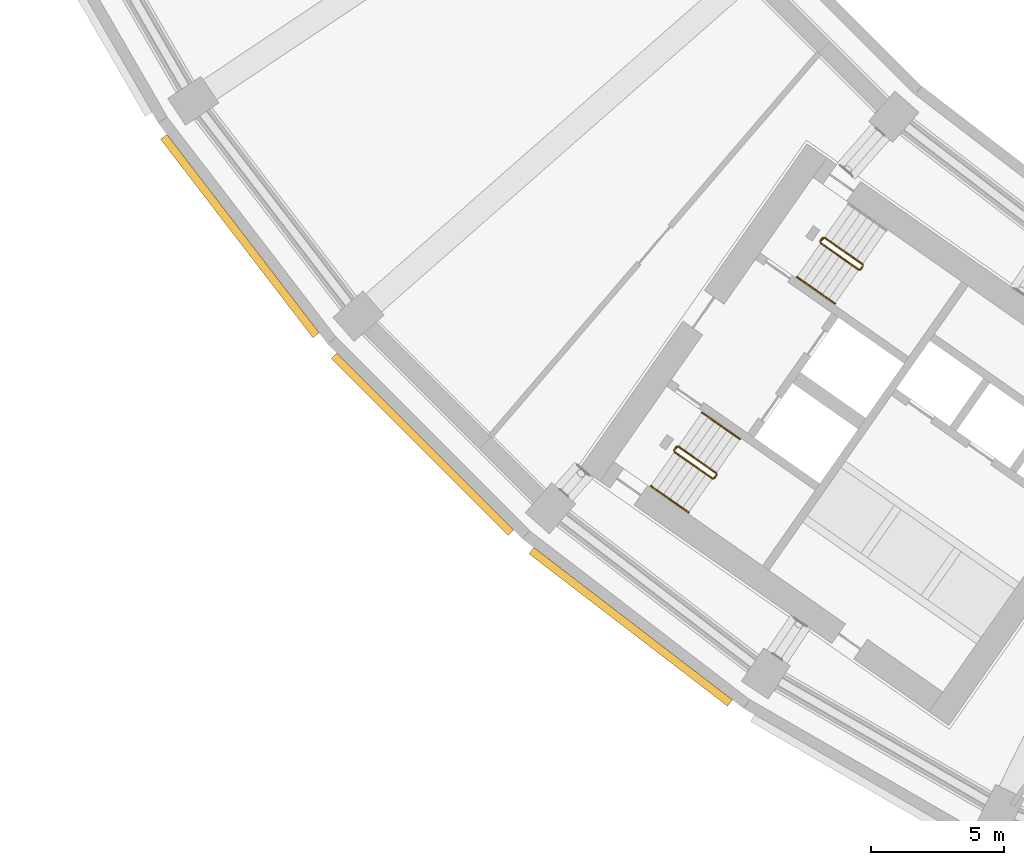
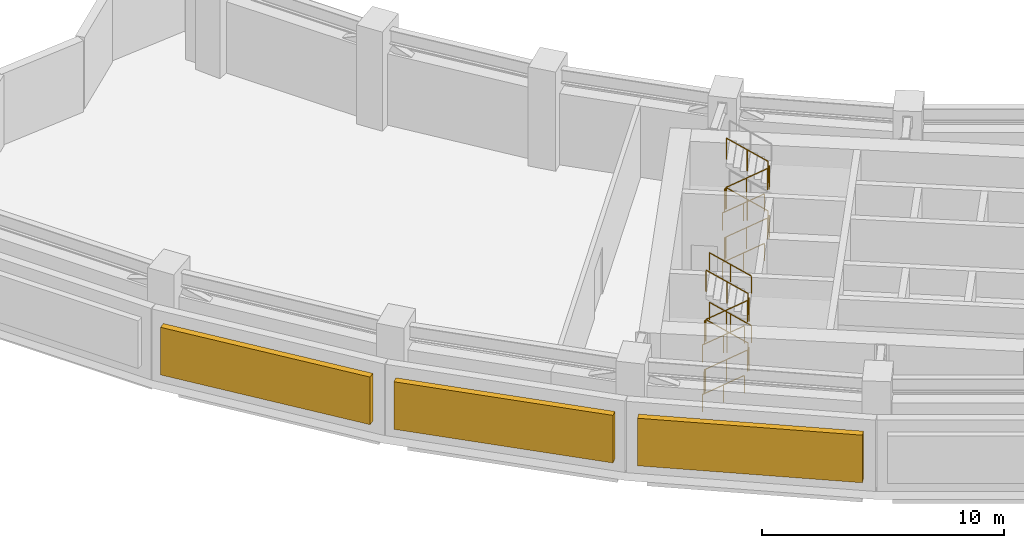
# One storey, part 23 of 25: 16 railings, 3 shading devices.
"""IFC4 building model written with IfcOpenShell, lengths in metres."""

from ifc_helpers import new_model, si_unit, direction, frame, origin, origin_2d, place, context, subcontext, project, spatial, rectangle, circle, extrude, material, type_object, element, save


model = new_model("IFC4")

# Units and contexts
model_context = context("Model", 3, precision=1e-05, world=origin(), true_north=direction((0.0, 1.0)))
body_context = subcontext(model_context, "Body", "Model", "MODEL_VIEW")
ifc_project = project(units=[si_unit("LENGTHUNIT", "METRE"), si_unit("AREAUNIT", "SQUARE_METRE"), si_unit("VOLUMEUNIT", "CUBIC_METRE"), si_unit("PLANEANGLEUNIT", "RADIAN"), si_unit("MASSUNIT", "GRAM", prefix="KILO")], contexts=[model_context])

# Site, building, storey
site_placement = place(None, origin())
site = spatial("IfcSite", under=ifc_project, at=site_placement, CompositionType="ELEMENT")
building_placement = place(site_placement, origin())
building = spatial("IfcBuilding", under=site, at=building_placement, Name="Qamariyya Broadcast Tower", CompositionType="ELEMENT")
storey_placement = place(building_placement, frame((0.0, 0.0, 144.300048828125)))
storey = spatial("IfcBuildingStorey", under=building, at=storey_placement, Name="L33", CompositionType="ELEMENT", Elevation=144.300048828125)

# Railings
ifc_material_1 = material(Name="Painted steel", Category="steel")
railing_type_1 = type_object("IfcRailingType", Name="Stair guard", PredefinedType="GUARDRAIL", material=ifc_material_1)
railing_1_placement = place(storey_placement, frame((-41.146728515625, -48.52490234375, 0.178466796875)))
element("IfcRailing", 1, at=railing_1_placement, inside=storey, type_object=railing_type_1, Name="L33 ST-W2 stair guard 1", PredefinedType="GUARDRAIL", context=body_context, shape_type="SweptSolid", body=[
    extrude(circle(Radius=0.02392578125, at=origin_2d()), frame((0.0, 0.0, 1.076171875), z_axis=(0.69748900342, -0.488409565944, 0.52437122919), x_axis=(0.573594173421, 0.819139624372, 0.0)), (0.0, 0.0, 1.0), 2.04345703125),
    extrude(circle(Radius=0.02392578125, at=origin_2d()), frame((1.42529296875, -0.998046875, 2.1474609375), z_axis=(0.984470095537, 0.175552359694, 0.0), x_axis=(-0.175552359694, 0.984470095537, 0.0)), (0.0, 0.0, 1.0), 0.071044921875),
    extrude(circle(Radius=0.02392578125, at=origin_2d()), frame((1.4951171875, -0.985595703125, 2.1474609375), z_axis=(0.573353020881, 0.819308436089, 0.0), x_axis=(-0.819308436089, 0.573353020881, 0.0)), (0.0, 0.0, 1.0), 0.14990234375),
    extrude(circle(Radius=0.02099609375, at=origin_2d()), origin(), (0.0, 0.0, 1.0), 1.052001953125),
    extrude(circle(Radius=0.02099609375, at=origin_2d()), frame((0.712646484375, -0.4990234375, 0.53564453125)), (0.0, 0.0, 1.0), 1.052001953125),
    extrude(circle(Radius=0.02099609375, at=origin_2d()), frame((1.42529296875, -0.998046875, 1.071533203125)), (0.0, 0.0, 1.0), 1.052001953125),
    extrude(circle(Radius=0.02099609375, at=origin_2d()), frame((1.4951171875, -0.985595703125, 1.071533203125)), (0.0, 0.0, 1.0), 1.052001953125),
    extrude(circle(Radius=0.02099609375, at=origin_2d()), frame((1.5810546875, -0.86279296875, 1.071533203125)), (0.0, 0.0, 1.0), 1.052001953125),
])
railing_2_placement = place(storey_placement, frame((-39.577880859375, -49.318115234375, 1.428466796875)))
element("IfcRailing", 2, at=railing_2_placement, inside=storey, type_object=railing_type_1, Name="L33 ST-W2 stair guard 2", PredefinedType="GUARDRAIL", context=body_context, shape_type="SweptSolid", body=[
    extrude(circle(Radius=0.02392578125, at=origin_2d()), frame((0.0, 0.0, 1.076171875), z_axis=(-0.69748900342, 0.488409565944, 0.52437122919), x_axis=(-0.573594173421, -0.819139624372, 0.0)), (0.0, 0.0, 1.0), 2.04345703125),
    extrude(circle(Radius=0.02392578125, at=origin_2d()), frame((-1.42529296875, 0.998046875, 2.1474609375), z_axis=(-0.755063954535, -0.655651145474, 0.0), x_axis=(0.655651145474, -0.755063954535, 0.0)), (0.0, 0.0, 1.0), 0.206298828125),
    extrude(circle(Radius=0.02392578125, at=origin_2d()), frame((-1.5810546875, 0.86279296875, 2.1474609375), z_axis=(0.572588637393, 0.819842821722, 0.0), x_axis=(-0.819842821722, 0.572588637393, 0.0)), (0.0, 0.0, 1.0), 0.150146484375),
    extrude(circle(Radius=0.02099609375, at=origin_2d()), origin(), (0.0, 0.0, 1.0), 1.052001953125),
    extrude(circle(Radius=0.02099609375, at=origin_2d()), frame((-0.712646484375, 0.4990234375, 0.53564453125)), (0.0, 0.0, 1.0), 1.052001953125),
    extrude(circle(Radius=0.02099609375, at=origin_2d()), frame((-1.42529296875, 0.998046875, 1.071533203125)), (0.0, 0.0, 1.0), 1.052001953125),
    extrude(circle(Radius=0.02099609375, at=origin_2d()), frame((-1.5810546875, 0.86279296875, 1.071533203125)), (0.0, 0.0, 1.0), 1.052001953125),
    extrude(circle(Radius=0.02099609375, at=origin_2d()), frame((-1.4951171875, 0.98583984375, 1.071533203125)), (0.0, 0.0, 1.0), 1.052001953125),
])
railing_3_placement = place(storey_placement, frame((-41.146728515625, -48.52490234375, 2.678466796875)))
element("IfcRailing", 3, at=railing_3_placement, inside=storey, type_object=railing_type_1, Name="L33 ST-W2 stair guard 3", PredefinedType="GUARDRAIL", context=body_context, shape_type="SweptSolid", body=[
    extrude(circle(Radius=0.02392578125, at=origin_2d()), frame((0.0, 0.0, 1.076171875), z_axis=(0.69748900342, -0.488409565944, 0.52437122919), x_axis=(0.573594173421, 0.819139624372, 0.0)), (0.0, 0.0, 1.0), 2.04345703125),
    extrude(circle(Radius=0.02392578125, at=origin_2d()), frame((1.42529296875, -0.998046875, 2.1474609375), z_axis=(0.984470095537, 0.175552359694, 0.0), x_axis=(-0.175552359694, 0.984470095537, 0.0)), (0.0, 0.0, 1.0), 0.071044921875),
    extrude(circle(Radius=0.02392578125, at=origin_2d()), frame((1.4951171875, -0.985595703125, 2.1474609375), z_axis=(0.573353020881, 0.819308436089, 0.0), x_axis=(-0.819308436089, 0.573353020881, 0.0)), (0.0, 0.0, 1.0), 0.14990234375),
    extrude(circle(Radius=0.02099609375, at=origin_2d()), origin(), (0.0, 0.0, 1.0), 1.052001953125),
    extrude(circle(Radius=0.02099609375, at=origin_2d()), frame((0.712646484375, -0.4990234375, 0.53564453125)), (0.0, 0.0, 1.0), 1.052001953125),
    extrude(circle(Radius=0.02099609375, at=origin_2d()), frame((1.42529296875, -0.998046875, 1.071533203125)), (0.0, 0.0, 1.0), 1.052001953125),
    extrude(circle(Radius=0.02099609375, at=origin_2d()), frame((1.4951171875, -0.985595703125, 1.071533203125)), (0.0, 0.0, 1.0), 1.052001953125),
    extrude(circle(Radius=0.02099609375, at=origin_2d()), frame((1.5810546875, -0.86279296875, 1.071533203125)), (0.0, 0.0, 1.0), 1.052001953125),
])
railing_4_placement = place(storey_placement, frame((-39.577880859375, -49.318115234375, 3.928466796875)))
element("IfcRailing", 4, at=railing_4_placement, inside=storey, type_object=railing_type_1, Name="L33 ST-W2 stair guard 4", PredefinedType="GUARDRAIL", context=body_context, shape_type="SweptSolid", body=[
    extrude(circle(Radius=0.02392578125, at=origin_2d()), frame((0.0, 0.0, 1.076171875), z_axis=(-0.69748900342, 0.488409565944, 0.52437122919), x_axis=(-0.573594173421, -0.819139624372, 0.0)), (0.0, 0.0, 1.0), 2.04345703125),
    extrude(circle(Radius=0.02099609375, at=origin_2d()), origin(), (0.0, 0.0, 1.0), 1.052001953125),
    extrude(circle(Radius=0.02099609375, at=origin_2d()), frame((-0.712646484375, 0.4990234375, 0.53564453125)), (0.0, 0.0, 1.0), 1.052001953125),
    extrude(circle(Radius=0.02099609375, at=origin_2d()), frame((-1.42529296875, 0.998046875, 1.071533203125)), (0.0, 0.0, 1.0), 1.052001953125),
])
railing_5_placement = place(storey_placement, frame((-41.158935546875, -48.455322265625, 0.0)))
element("IfcRailing", 5, at=railing_5_placement, inside=storey, type_object=railing_type_1, Name="L33 ST-W2 stair guard 5", PredefinedType="GUARDRAIL", context=body_context, shape_type="SweptSolid", body=[
    extrude(circle(Radius=0.02392578125, at=origin_2d()), frame((0.0, 0.0, 1.076171875), z_axis=(0.572588637393, 0.819842821722, 0.0), x_axis=(-0.819842821722, 0.572588637393, 0.0)), (0.0, 0.0, 1.0), 0.150146484375),
    extrude(circle(Radius=0.02099609375, at=origin_2d()), origin(), (0.0, 0.0, 1.0), 1.052001953125),
    extrude(circle(Radius=0.02099609375, at=origin_2d()), frame((0.0859375, 0.123046875, 0.0)), (0.0, 0.0, 1.0), 1.052001953125),
])
railing_6_placement = place(storey_placement, frame((-46.624267578125, -56.34765625, 0.178466796875)))
element("IfcRailing", 6, at=railing_6_placement, inside=storey, type_object=railing_type_1, Name="L33 ST-W1 stair guard 1", PredefinedType="GUARDRAIL", context=body_context, shape_type="SweptSolid", body=[
    extrude(circle(Radius=0.02392578125, at=origin_2d()), frame((0.0, 0.0, 1.076171875), z_axis=(0.69748900342, -0.488409565944, 0.52437122919), x_axis=(0.573594173421, 0.819139624372, 0.0)), (0.0, 0.0, 1.0), 2.04345703125),
    extrude(circle(Radius=0.02392578125, at=origin_2d()), frame((1.42529296875, -0.998046875, 2.1474609375), z_axis=(0.984957024646, 0.172799478008, 0.0), x_axis=(-0.172799478008, 0.984957024646, 0.0)), (0.0, 0.0, 1.0), 0.070556640625),
    extrude(circle(Radius=0.02392578125, at=origin_2d()), frame((1.494873046875, -0.98583984375, 2.1474609375), z_axis=(0.574444878118, 0.818543268254, 0.0), x_axis=(-0.818543268254, 0.574444878118, 0.0)), (0.0, 0.0, 1.0), 0.150146484375),
    extrude(circle(Radius=0.02099609375, at=origin_2d()), origin(), (0.0, 0.0, 1.0), 1.052001953125),
    extrude(circle(Radius=0.02099609375, at=origin_2d()), frame((0.712646484375, -0.4990234375, 0.53564453125)), (0.0, 0.0, 1.0), 1.052001953125),
    extrude(circle(Radius=0.02099609375, at=origin_2d()), frame((1.42529296875, -0.998046875, 1.071533203125)), (0.0, 0.0, 1.0), 1.052001953125),
    extrude(circle(Radius=0.02099609375, at=origin_2d()), frame((1.494873046875, -0.98583984375, 1.071533203125)), (0.0, 0.0, 1.0), 1.052001953125),
    extrude(circle(Radius=0.02099609375, at=origin_2d()), frame((1.5810546875, -0.863037109375, 1.071533203125)), (0.0, 0.0, 1.0), 1.052001953125),
])
railing_7_placement = place(storey_placement, frame((-45.0556640625, -57.14111328125, 1.428466796875)))
element("IfcRailing", 7, at=railing_7_placement, inside=storey, type_object=railing_type_1, Name="L33 ST-W1 stair guard 2", PredefinedType="GUARDRAIL", context=body_context, shape_type="SweptSolid", body=[
    extrude(circle(Radius=0.02392578125, at=origin_2d()), frame((0.0, 0.0, 1.076171875), z_axis=(-0.69748900342, 0.488409565944, 0.52437122919), x_axis=(-0.573594173421, -0.819139624372, 0.0)), (0.0, 0.0, 1.0), 2.04345703125),
    extrude(circle(Radius=0.02392578125, at=origin_2d()), frame((-1.42529296875, 0.998046875, 2.1474609375), z_axis=(-0.755650002112, -0.65497562879, 0.0), x_axis=(0.65497562879, -0.755650002112, 0.0)), (0.0, 0.0, 1.0), 0.2060546875),
    extrude(circle(Radius=0.02392578125, at=origin_2d()), frame((-1.5810546875, 0.863037109375, 2.1474609375), z_axis=(0.574444878118, 0.818543268254, 0.0), x_axis=(-0.818543268254, 0.574444878118, 0.0)), (0.0, 0.0, 1.0), 0.150146484375),
    extrude(circle(Radius=0.02099609375, at=origin_2d()), origin(), (0.0, 0.0, 1.0), 1.052001953125),
    extrude(circle(Radius=0.02099609375, at=origin_2d()), frame((-0.712646484375, 0.4990234375, 0.53564453125)), (0.0, 0.0, 1.0), 1.052001953125),
    extrude(circle(Radius=0.02099609375, at=origin_2d()), frame((-1.42529296875, 0.998046875, 1.071533203125)), (0.0, 0.0, 1.0), 1.052001953125),
    extrude(circle(Radius=0.02099609375, at=origin_2d()), frame((-1.5810546875, 0.863037109375, 1.071533203125)), (0.0, 0.0, 1.0), 1.052001953125),
    extrude(circle(Radius=0.02099609375, at=origin_2d()), frame((-1.494873046875, 0.98583984375, 1.071533203125)), (0.0, 0.0, 1.0), 1.052001953125),
])
railing_8_placement = place(storey_placement, frame((-46.624267578125, -56.34765625, 2.678466796875)))
element("IfcRailing", 8, at=railing_8_placement, inside=storey, type_object=railing_type_1, Name="L33 ST-W1 stair guard 3", PredefinedType="GUARDRAIL", context=body_context, shape_type="SweptSolid", body=[
    extrude(circle(Radius=0.02392578125, at=origin_2d()), frame((0.0, 0.0, 1.076171875), z_axis=(0.69748900342, -0.488409565944, 0.52437122919), x_axis=(0.573594173421, 0.819139624372, 0.0)), (0.0, 0.0, 1.0), 2.04345703125),
    extrude(circle(Radius=0.02392578125, at=origin_2d()), frame((1.42529296875, -0.998046875, 2.1474609375), z_axis=(0.984957024646, 0.172799478008, 0.0), x_axis=(-0.172799478008, 0.984957024646, 0.0)), (0.0, 0.0, 1.0), 0.070556640625),
    extrude(circle(Radius=0.02392578125, at=origin_2d()), frame((1.494873046875, -0.98583984375, 2.1474609375), z_axis=(0.574444878118, 0.818543268254, 0.0), x_axis=(-0.818543268254, 0.574444878118, 0.0)), (0.0, 0.0, 1.0), 0.150146484375),
    extrude(circle(Radius=0.02099609375, at=origin_2d()), origin(), (0.0, 0.0, 1.0), 1.052001953125),
    extrude(circle(Radius=0.02099609375, at=origin_2d()), frame((0.712646484375, -0.4990234375, 0.53564453125)), (0.0, 0.0, 1.0), 1.052001953125),
    extrude(circle(Radius=0.02099609375, at=origin_2d()), frame((1.42529296875, -0.998046875, 1.071533203125)), (0.0, 0.0, 1.0), 1.052001953125),
    extrude(circle(Radius=0.02099609375, at=origin_2d()), frame((1.494873046875, -0.98583984375, 1.071533203125)), (0.0, 0.0, 1.0), 1.052001953125),
    extrude(circle(Radius=0.02099609375, at=origin_2d()), frame((1.5810546875, -0.863037109375, 1.071533203125)), (0.0, 0.0, 1.0), 1.052001953125),
])
railing_9_placement = place(storey_placement, frame((-45.0556640625, -57.14111328125, 3.928466796875)))
element("IfcRailing", 9, at=railing_9_placement, inside=storey, type_object=railing_type_1, Name="L33 ST-W1 stair guard 4", PredefinedType="GUARDRAIL", context=body_context, shape_type="SweptSolid", body=[
    extrude(circle(Radius=0.02392578125, at=origin_2d()), frame((0.0, 0.0, 1.076171875), z_axis=(-0.69748900342, 0.488409565944, 0.52437122919), x_axis=(-0.573594173421, -0.819139624372, 0.0)), (0.0, 0.0, 1.0), 2.04345703125),
    extrude(circle(Radius=0.02099609375, at=origin_2d()), origin(), (0.0, 0.0, 1.0), 1.052001953125),
    extrude(circle(Radius=0.02099609375, at=origin_2d()), frame((-0.712646484375, 0.4990234375, 0.53564453125)), (0.0, 0.0, 1.0), 1.052001953125),
    extrude(circle(Radius=0.02099609375, at=origin_2d()), frame((-1.42529296875, 0.998046875, 1.071533203125)), (0.0, 0.0, 1.0), 1.052001953125),
])
railing_10_placement = place(storey_placement, frame((-46.63671875, -56.278076171875, 0.0)))
element("IfcRailing", 10, at=railing_10_placement, inside=storey, type_object=railing_type_1, Name="L33 ST-W1 stair guard 5", PredefinedType="GUARDRAIL", context=body_context, shape_type="SweptSolid", body=[
    extrude(circle(Radius=0.02392578125, at=origin_2d()), frame((0.0, 0.0, 1.076171875), z_axis=(0.574444878118, 0.818543268254, 0.0), x_axis=(-0.818543268254, 0.574444878118, 0.0)), (0.0, 0.0, 1.0), 0.150146484375),
    extrude(circle(Radius=0.02099609375, at=origin_2d()), origin(), (0.0, 0.0, 1.0), 1.052001953125),
    extrude(circle(Radius=0.02099609375, at=origin_2d()), frame((0.086181640625, 0.122802734375, 0.0)), (0.0, 0.0, 1.0), 1.052001953125),
])
ifc_material_2 = material(Name="Stainless steel", Category="steel")
railing_type_2 = type_object("IfcRailingType", Name="Stair handrail", PredefinedType="HANDRAIL", material=ifc_material_2)
for number, where, name in (
    (11, (-42.03564453125, -49.79443359375, 0.178466796875), "L33 ST-W2 stair handrail 1"),
    (12, (-42.03564453125, -49.79443359375, 2.678466796875), "L33 ST-W2 stair handrail 3"),
    (13, (-47.513427734375, -57.617431640625, 0.178466796875), "L33 ST-W1 stair handrail 1"),
):
    element("IfcRailing", number, at=place(storey_placement, frame(where)), inside=storey, type_object=railing_type_2, Name=name, PredefinedType="HANDRAIL", context=body_context, shape_type="SweptSolid", body=[
        extrude(circle(Radius=0.02392578125, at=origin_2d()), frame((0.0, 0.0, 0.8759765625), z_axis=(0.69748900342, -0.488409565944, 0.52437122919), x_axis=(0.573594173421, 0.819139624372, 0.0)), (0.0, 0.0, 1.0), 2.04345703125),
        extrude(circle(Radius=0.02099609375, at=origin_2d()), origin(), (0.0, 0.0, 1.0), 0.851806640625),
        extrude(circle(Radius=0.02099609375, at=origin_2d()), frame((0.712646484375, -0.4990234375, 0.53564453125)), (0.0, 0.0, 1.0), 0.851806640625),
        extrude(circle(Radius=0.02099609375, at=origin_2d()), frame((1.42529296875, -0.998046875, 1.071533203125)), (0.0, 0.0, 1.0), 0.851806640625),
    ])
railing_11_placement = place(storey_placement, frame((-44.16650390625, -55.871337890625, 1.428466796875)))
element("IfcRailing", 14, at=railing_11_placement, inside=storey, type_object=railing_type_2, Name="L33 ST-W1 stair handrail 2", PredefinedType="HANDRAIL", context=body_context, shape_type="SweptSolid", body=[
    extrude(circle(Radius=0.02392578125, at=origin_2d()), frame((0.0, 0.0, 0.8759765625), z_axis=(-0.69748900342, 0.488409565944, 0.52437122919), x_axis=(-0.573594173421, -0.819139624372, 0.0)), (0.0, 0.0, 1.0), 2.04345703125),
    extrude(circle(Radius=0.02099609375, at=origin_2d()), origin(), (0.0, 0.0, 1.0), 0.851806640625),
    extrude(circle(Radius=0.02099609375, at=origin_2d()), frame((-0.712646484375, 0.4990234375, 0.53564453125)), (0.0, 0.0, 1.0), 0.851806640625),
    extrude(circle(Radius=0.02099609375, at=origin_2d()), frame((-1.42529296875, 0.998046875, 1.071533203125)), (0.0, 0.0, 1.0), 0.851806640625),
])
railing_12_placement = place(storey_placement, frame((-47.513427734375, -57.617431640625, 2.678466796875)))
element("IfcRailing", 15, at=railing_12_placement, inside=storey, type_object=railing_type_2, Name="L33 ST-W1 stair handrail 3", PredefinedType="HANDRAIL", context=body_context, shape_type="SweptSolid", body=[
    extrude(circle(Radius=0.02392578125, at=origin_2d()), frame((0.0, 0.0, 0.8759765625), z_axis=(0.69748900342, -0.488409565944, 0.52437122919), x_axis=(0.573594173421, 0.819139624372, 0.0)), (0.0, 0.0, 1.0), 2.04345703125),
    extrude(circle(Radius=0.02099609375, at=origin_2d()), origin(), (0.0, 0.0, 1.0), 0.851806640625),
    extrude(circle(Radius=0.02099609375, at=origin_2d()), frame((0.712646484375, -0.4990234375, 0.53564453125)), (0.0, 0.0, 1.0), 0.851806640625),
    extrude(circle(Radius=0.02099609375, at=origin_2d()), frame((1.42529296875, -0.998046875, 1.071533203125)), (0.0, 0.0, 1.0), 0.851806640625),
])
railing_13_placement = place(storey_placement, frame((-44.16650390625, -55.871337890625, 3.928466796875)))
element("IfcRailing", 16, at=railing_13_placement, inside=storey, type_object=railing_type_2, Name="L33 ST-W1 stair handrail 4", PredefinedType="HANDRAIL", context=body_context, shape_type="SweptSolid", body=[
    extrude(circle(Radius=0.02392578125, at=origin_2d()), frame((0.0, 0.0, 0.8759765625), z_axis=(-0.69748900342, 0.488409565944, 0.52437122919), x_axis=(-0.573594173421, -0.819139624372, 0.0)), (0.0, 0.0, 1.0), 2.04345703125),
    extrude(circle(Radius=0.02099609375, at=origin_2d()), origin(), (0.0, 0.0, 1.0), 0.851806640625),
    extrude(circle(Radius=0.02099609375, at=origin_2d()), frame((-0.712646484375, 0.4990234375, 0.53564453125)), (0.0, 0.0, 1.0), 0.851806640625),
    extrude(circle(Radius=0.02099609375, at=origin_2d()), frame((-1.42529296875, 0.998046875, 1.071533203125)), (0.0, 0.0, 1.0), 0.851806640625),
])

# Shading devices
ifc_material_3 = material(Name="Glazed terracotta", Category="masonry")
shading_device_type = type_object("IfcShadingDeviceType", Name="Terracotta louvre bank", PredefinedType="USERDEFINED", material=ifc_material_3)
for number, where, z_axis, x_axis, name in (
    (17, (-62.897216796875, -48.2626953125, 0.60009765625), (0.0, 0.0, 1.0), (0.608761429009, -0.793353340291, 0.0), "e-lv-L33-02"),
    (18, (-56.0595703125, -56.0595703125, 0.60009765625), (0.0, 0.0, 1.0), (0.707106781187, -0.707106781187, 0.0), "e-lv-L33-03"),
    (19, (-48.2626953125, -62.897216796875, 0.60009765625), (0.0, 0.0, 1.0), (0.793353340291, -0.608761429009, 0.0), "e-lv-L33-04"),
):
    element("IfcShadingDevice", number, at=place(storey_placement, frame(where, z_axis=z_axis, x_axis=x_axis)), inside=storey, type_object=shading_device_type, Name=name, ObjectType="LOUVRE", PredefinedType="USERDEFINED", context=body_context, shape_type="SweptSolid", body=[
        extrude(rectangle(XDim=9.373046875, YDim=0.300048828125, at=origin_2d()), origin(), (0.0, 0.0, 1.0), 2.39990234375),
    ])

save(model, "model.ifc")
